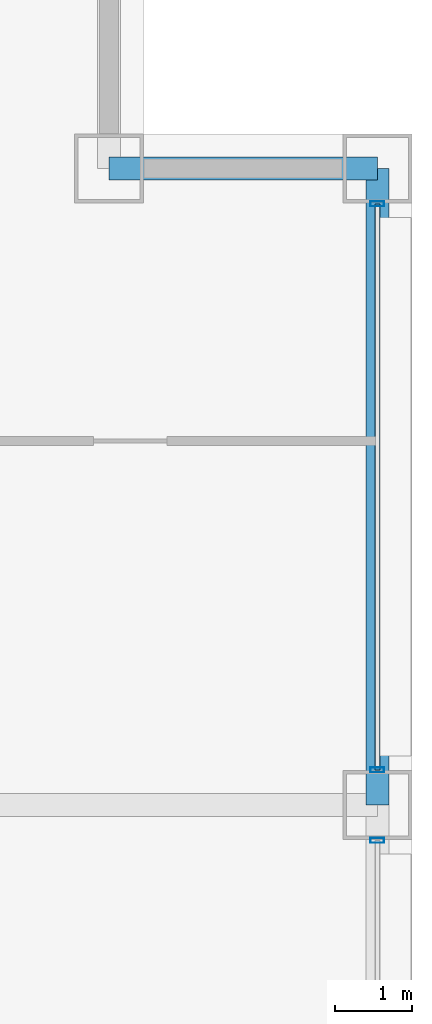
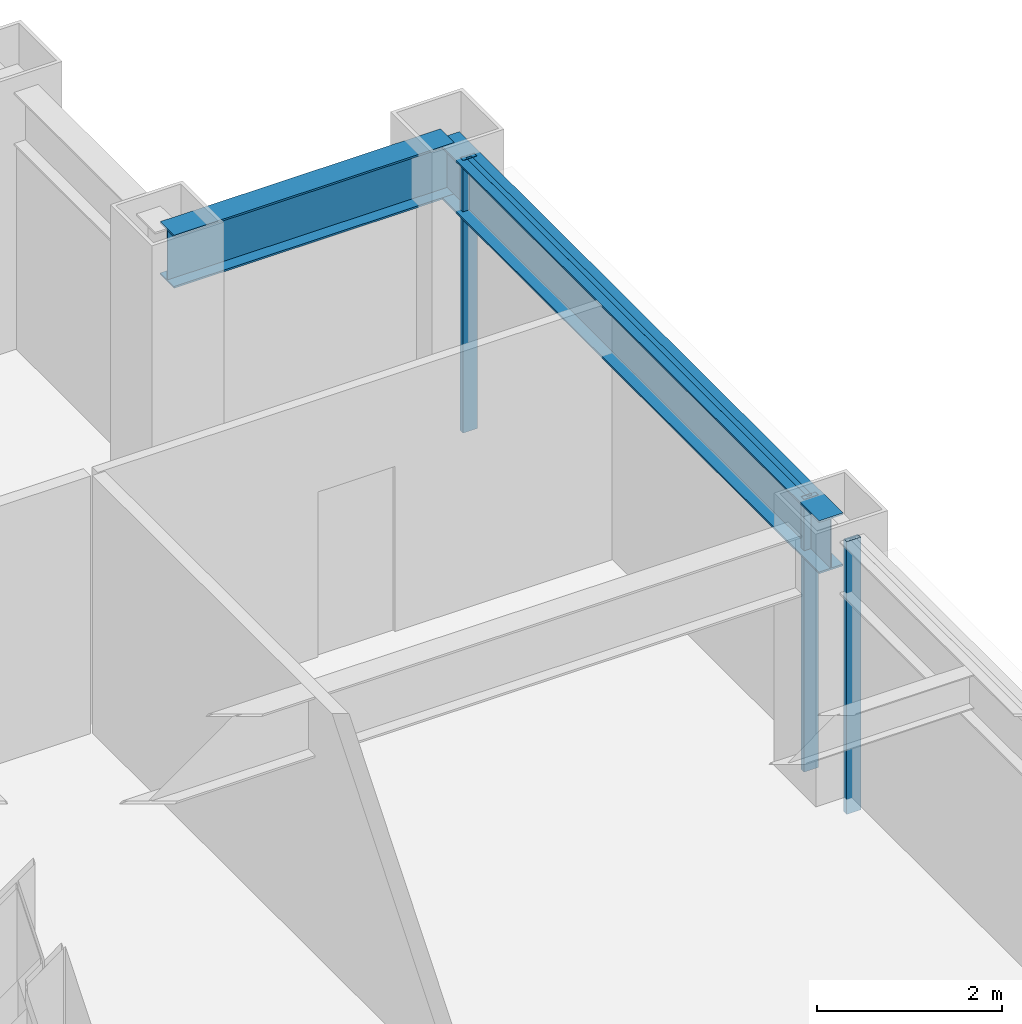
# One storey, part 22 of 30: 4 members, 2 beams, 2 elements without a shape of their own.
"""IFC4 building model written with IfcOpenShell, lengths in metres."""

from ifc_helpers import new_model, si_unit, direction, frame, origin, origin_2d, place, context, subcontext, project, spatial, hollow_rectangle, i_section, extrude, material, layer, layer_set, material_profile, profile_set, type_object, element, aggregate, save


model = new_model("IFC4")

# Units and contexts
model_context = context("Model", 3, precision=1e-05, world=origin(), true_north=direction((0.0, 1.0)))
body_context = subcontext(model_context, "Body", "Model", "MODEL_VIEW")
ifc_project = project(units=[si_unit("LENGTHUNIT", "METRE"), si_unit("AREAUNIT", "SQUARE_METRE"), si_unit("VOLUMEUNIT", "CUBIC_METRE"), si_unit("PLANEANGLEUNIT", "RADIAN"), si_unit("MASSUNIT", "GRAM", prefix="KILO")], contexts=[model_context])

# Site, building, storey
site_placement = place(None, origin())
site = spatial("IfcSite", under=ifc_project, at=site_placement, CompositionType="ELEMENT")
building_placement = place(site_placement, origin())
building = spatial("IfcBuilding", under=site, at=building_placement, Name="Brelmoor Portico Tower", CompositionType="ELEMENT")
storey_placement = place(building_placement, frame((0.0, 0.0, 74.39990234375)))
storey = spatial("IfcBuildingStorey", under=building, at=storey_placement, Name="L19", CompositionType="ELEMENT", Elevation=74.39990234375)

# Beams
ifc_material_1 = material(Name="Steel Q355B", Category="steel")
ifc_material_profile_1 = material_profile(ifc_material_1, i_section(OverallWidth=0.300048828125, OverallDepth=0.699951171875, WebThickness=0.012939453125, FlangeThickness=0.02392578125, at=origin_2d()), Name="HN 700x300x13x24")
ifc_profile_set_1 = profile_set([ifc_material_profile_1], Name="Steel Q355B")
beam_type = type_object("IfcBeamType", Name="BM-SP-700", PredefinedType="SPANDREL", material=ifc_profile_set_1)
beam_1_placement = place(storey_placement, frame((21.050048828125, 18.050048828125, 3.050048828125), z_axis=(1.0, 0.0, 0.0), x_axis=(0.0, 1.0, 0.0)))
element("IfcBeam", 1, at=beam_1_placement, inside=storey, type_object=beam_type, Name="L19 Perimeter Spandrel Beam SP-09", PredefinedType="SPANDREL", context=body_context, shape_type="SweptSolid", body=[
    extrude(i_section(OverallWidth=0.300048828125, OverallDepth=0.699951171875, WebThickness=0.012939453125, FlangeThickness=0.02392578125, at=origin_2d()), origin(), (0.0, 0.0, 1.0), 3.5),
])
beam_2_placement = place(storey_placement, frame((24.550048828125, 9.75, 3.050048828125), z_axis=(0.0, 1.0, 0.0), x_axis=(-1.0, 0.0, 0.0)))
element("IfcBeam", 2, at=beam_2_placement, inside=storey, type_object=beam_type, Name="L19 Perimeter Spandrel Beam SP-24", PredefinedType="SPANDREL", context=body_context, shape_type="SweptSolid", body=[
    extrude(i_section(OverallWidth=0.300048828125, OverallDepth=0.699951171875, WebThickness=0.012939453125, FlangeThickness=0.02392578125, at=origin_2d()), origin(), (0.0, 0.0, 1.0), 8.300048828125),
])

# Curtain wall, member
ifc_material_2 = material(Name="Anodised Aluminium Alloy 6063-T6", Category="aluminium")
ifc_layer = layer(ifc_material_2, 0.179931640625)
ifc_layer_set = layer_set([ifc_layer], Name="Anodised Aluminium Alloy 6063-T6")
curtain_wall_type = type_object("IfcCurtainWallType", Name="CW-TOWER-Z1-XB", PredefinedType="NOTDEFINED", material=ifc_layer_set)
curtain_wall_1_placement = place(storey_placement, origin())
curtain_wall_1 = element("IfcCurtainWall", 3, at=curtain_wall_1_placement, inside=storey, type_object=curtain_wall_type, Name="L19 Curtain Wall CW-L19-04-2", PredefinedType="NOTDEFINED")
ifc_material_profile_2 = material_profile(ifc_material_2, hollow_rectangle(XDim=0.06494140625, YDim=0.179931640625, WallThickness=0.00390625, at=origin_2d()), Name="ALU MULLION 65x180")
ifc_profile_set_2 = profile_set([ifc_material_profile_2], Name="Anodised Aluminium Alloy 6063-T6")
member_type_1 = type_object("IfcMemberType", Name="MB-CW-MULL-180", PredefinedType="MULLION", material=ifc_profile_set_2)
member_1_placement = place(storey_placement, frame((24.550048828125, 9.2900390625, -0.199951171875), z_axis=(0.0, 0.0, 1.0), x_axis=(0.0, 1.0, 0.0)))
member_1 = element("IfcMember", 4, at=member_1_placement, type_object=member_type_1, Name="CW-L19-04-2 Mullion 02", PredefinedType="MULLION", context=body_context, shape_type="SweptSolid", body=[
    extrude(hollow_rectangle(XDim=0.06494140625, YDim=0.179931640625, WallThickness=0.00390625, at=origin_2d()), origin(), (0.0, 0.0, 1.0), 3.60009765625),
])
aggregate(curtain_wall_1, [member_1])

# Curtain wall, members
curtain_wall_2_placement = place(storey_placement, origin())
curtain_wall_2 = element("IfcCurtainWall", 5, at=curtain_wall_2_placement, inside=storey, type_object=curtain_wall_type, Name="L19 Curtain Wall CW-L19-04-3", PredefinedType="NOTDEFINED")
member_2_placement = place(storey_placement, frame((24.550048828125, 10.2099609375, -0.199951171875), z_axis=(0.0, 0.0, 1.0), x_axis=(0.0, 1.0, 0.0)))
member_2 = element("IfcMember", 6, at=member_2_placement, type_object=member_type_1, Name="CW-L19-04-3 Mullion 00", PredefinedType="MULLION", context=body_context, shape_type="SweptSolid", body=[
    extrude(hollow_rectangle(XDim=0.06494140625, YDim=0.179931640625, WallThickness=0.00390625, at=origin_2d()), origin(), (0.0, 0.0, 1.0), 3.60009765625),
])
member_3_placement = place(storey_placement, frame((24.550048828125, 17.590087890625, -0.199951171875), z_axis=(0.0, 0.0, 1.0), x_axis=(0.0, 1.0, 0.0)))
member_3 = element("IfcMember", 7, at=member_3_placement, type_object=member_type_1, Name="CW-L19-04-3 Mullion 01", PredefinedType="MULLION", context=body_context, shape_type="SweptSolid", body=[
    extrude(hollow_rectangle(XDim=0.06494140625, YDim=0.179931640625, WallThickness=0.00390625, at=origin_2d()), origin(), (0.0, 0.0, 1.0), 3.60009765625),
])
ifc_material_profile_3 = material_profile(ifc_material_2, hollow_rectangle(XDim=0.06494140625, YDim=0.139892578125, WallThickness=0.00390625, at=origin_2d()), Name="ALU TRANSOM 65x140")
ifc_profile_set_3 = profile_set([ifc_material_profile_3], Name="Anodised Aluminium Alloy 6063-T6")
member_type_2 = type_object("IfcMemberType", Name="MB-CW-TRAN-140", PredefinedType="USERDEFINED", material=ifc_profile_set_3)
member_4_placement = place(storey_placement, frame((24.550048828125, 10.2099609375, 3.330078125), z_axis=(0.0, 1.0, 0.0), x_axis=(-1.0, 0.0, 0.0)))
member_4 = element("IfcMember", 8, at=member_4_placement, type_object=member_type_2, Name="CW-L19-04-3 Transom 1-00", ObjectType="TRANSOM", PredefinedType="USERDEFINED", context=body_context, shape_type="SweptSolid", body=[
    extrude(hollow_rectangle(XDim=0.06494140625, YDim=0.139892578125, WallThickness=0.00390625, at=origin_2d()), origin(), (0.0, 0.0, 1.0), 7.380126953125),
])
aggregate(curtain_wall_2, [member_2, member_3, member_4])

save(model, "model.ifc")
